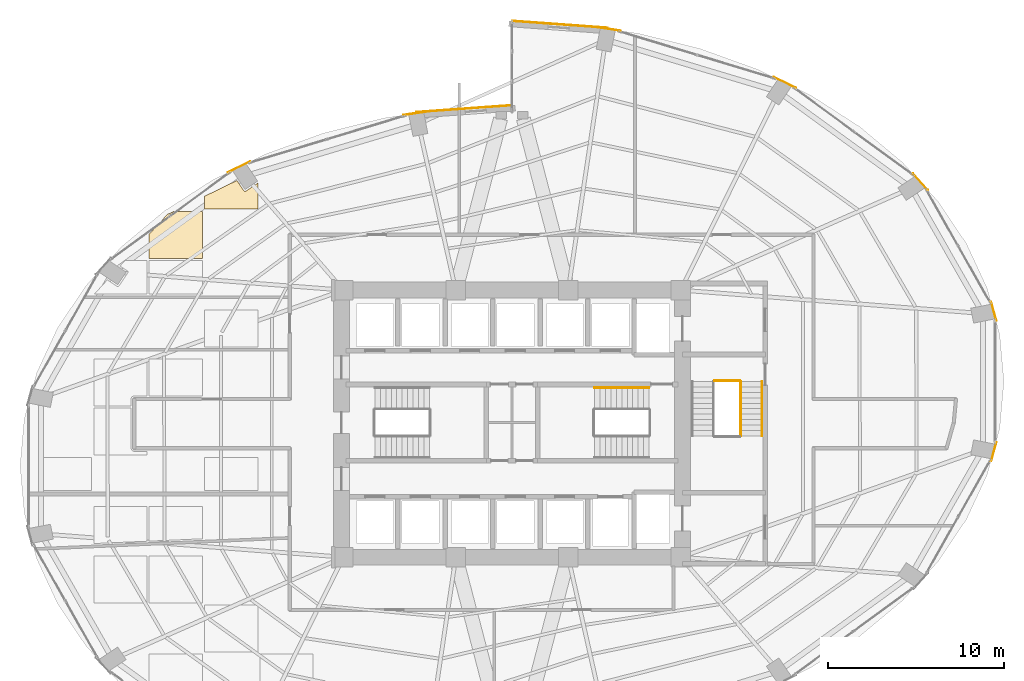
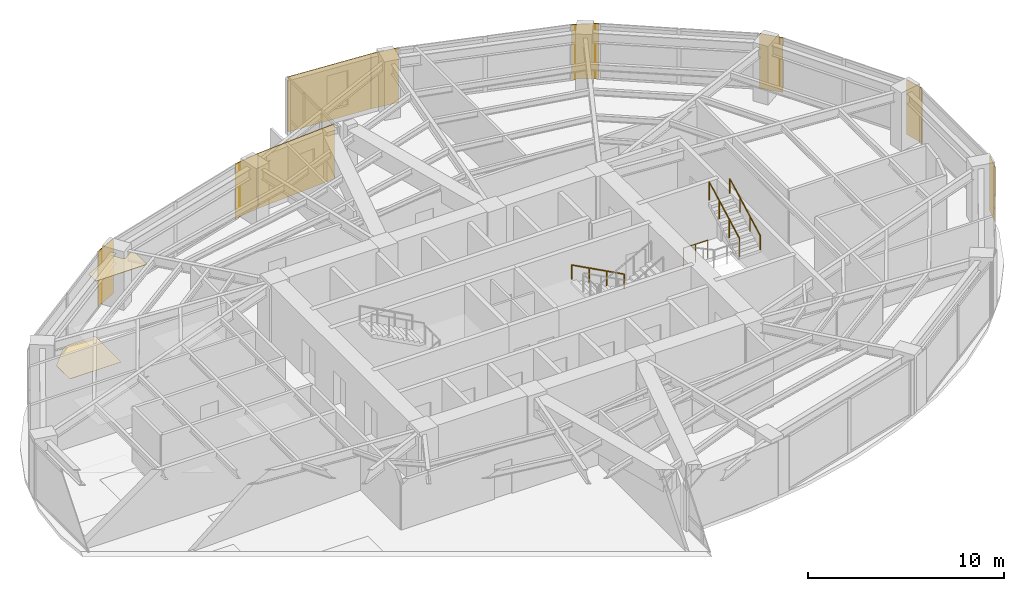
# One storey, part 25 of 25: 11 coverings, 4 railings.
"""IFC4 building model written with IfcOpenShell, lengths in metres."""

from ifc_helpers import new_model, si_unit, direction, frame, origin, origin_2d, place, context, subcontext, project, spatial, polyline, rectangle, circle, outline, extrude, material, layer, layer_set, type_object, element, save


model = new_model("IFC4")

# Units and contexts
model_context = context("Model", 3, precision=1e-05, world=origin(), true_north=direction((0.0, 1.0)))
body_context = subcontext(model_context, "Body", "Model", "MODEL_VIEW")
ifc_project = project(units=[si_unit("LENGTHUNIT", "METRE"), si_unit("AREAUNIT", "SQUARE_METRE"), si_unit("VOLUMEUNIT", "CUBIC_METRE"), si_unit("PLANEANGLEUNIT", "RADIAN"), si_unit("MASSUNIT", "GRAM", prefix="KILO")], contexts=[model_context])

# Site, building, storey
site_placement = place(None, origin())
site = spatial("IfcSite", under=ifc_project, at=site_placement, CompositionType="ELEMENT")
building_placement = place(site_placement, origin())
building = spatial("IfcBuilding", under=site, at=building_placement, Name="Lazwardi Medical Tower", CompositionType="ELEMENT")
storey_placement = place(building_placement, frame((0.0, 0.0, 43.43994140625)))
storey = spatial("IfcBuildingStorey", under=building, at=storey_placement, Name="L10", CompositionType="ELEMENT", Elevation=43.43994140625)

# Coverings
ifc_material_1 = material(Name="Anodised bronze aluminium cassette cladding", Category="aluminium")
ifc_layer_1 = layer(ifc_material_1, 0.030029296875)
ifc_layer_set_1 = layer_set([ifc_layer_1], Name="Anodised bronze aluminium cassette cladding")
covering_type_1 = type_object("IfcCoveringType", Name="COV-CLD-BRZ", PredefinedType="CLADDING", material=ifc_layer_set_1)
for number, where, z_axis, x_axis, name in (
    (1, (63.420654296875, 26.408203125, 0.0), (0.0, 0.0, 1.0), (0.262283496593, 0.964990863902, 0.0), "L10 Mega-column bronze cassette cover M04"),
    (2, (63.420654296875, 34.3916015625, 0.0), (0.0, 0.0, 1.0), (-0.262283496593, 0.964990863902, 0.0), "L10 Mega-column bronze cassette cover M05"),
):
    element("IfcCovering", number, at=place(storey_placement, frame(where, z_axis=z_axis, x_axis=x_axis)), inside=storey, type_object=covering_type_1, Name=name, PredefinedType="CLADDING", context=body_context, shape_type="SweptSolid", body=[
        extrude(rectangle(XDim=1.12548828125, YDim=0.030029296875, at=origin_2d()), origin(), (0.0, 0.0, 1.0), 3.427978515625),
    ])
covering_1_placement = place(storey_placement, frame((59.24609375, 41.767333984375, 0.0), z_axis=(0.0, 0.0, 1.0), x_axis=(-0.674252120961, 0.738501237223, 0.0)))
element("IfcCovering", 3, at=covering_1_placement, inside=storey, type_object=covering_type_1, Name="L10 Mega-column bronze cassette cover M06", PredefinedType="CLADDING", context=body_context, shape_type="SweptSolid", body=[
    extrude(rectangle(XDim=1.24658203125, YDim=0.030029296875, at=origin_2d()), origin(), (0.0, 0.0, 1.0), 3.427978515625),
])
covering_2_placement = place(storey_placement, frame((51.532470703125, 47.412353515625, 0.0), z_axis=(0.0, 0.0, 1.0), x_axis=(-0.898334492373, 0.439312121178, 0.0)))
element("IfcCovering", 4, at=covering_2_placement, inside=storey, type_object=covering_type_1, Name="L10 Mega-column bronze cassette cover M07", PredefinedType="CLADDING", context=body_context, shape_type="SweptSolid", body=[
    extrude(rectangle(XDim=1.400390625, YDim=0.030029296875, at=origin_2d()), origin(), (0.0, 0.0, 1.0), 3.427978515625),
])
for number, where, z_axis, x_axis, name in (
    (5, (41.454345703125, 50.46728515625, 0.0), (0.0, 0.0, 1.0), (-0.98957259946, 0.144034962415, 0.0), "L10 Mega-column bronze cassette cover M08"),
    (6, (30.545654296875, 45.66748046875, 0.0), (0.0, 0.0, 1.0), (-0.98957259946, -0.144034962415, 0.0), "L10 Mega-column bronze cassette cover M09"),
):
    element("IfcCovering", number, at=place(storey_placement, frame(where, z_axis=z_axis, x_axis=x_axis)), inside=storey, type_object=covering_type_1, Name=name, PredefinedType="CLADDING", context=body_context, shape_type="SweptSolid", body=[
        extrude(rectangle(XDim=1.49951171875, YDim=0.030029296875, at=origin_2d()), origin(), (0.0, 0.0, 1.0), 3.427978515625),
    ])
covering_3_placement = place(storey_placement, frame((20.467529296875, 42.6123046875, 0.0), z_axis=(0.0, 0.0, 1.0), x_axis=(-0.898334492373, -0.439312121178, 0.0)))
element("IfcCovering", 7, at=covering_3_placement, inside=storey, type_object=covering_type_1, Name="L10 Mega-column bronze cassette cover M10", PredefinedType="CLADDING", context=body_context, shape_type="SweptSolid", body=[
    extrude(rectangle(XDim=1.400390625, YDim=0.030029296875, at=origin_2d()), origin(), (0.0, 0.0, 1.0), 3.427978515625),
])
ifc_material_2 = material(Name="Turquoise glazed ceramic tilework cladding", Category="masonry")
ifc_layer_2 = layer(ifc_material_2, 0.034912109375)
ifc_layer_set_2 = layer_set([ifc_layer_2], Name="Turquoise glazed ceramic tilework cladding")
covering_type_2 = type_object("IfcCoveringType", Name="COV-CLD-TRQ", PredefinedType="CLADDING", material=ifc_layer_set_2)
covering_4_placement = place(storey_placement, frame((38.728271484375, 50.719482421875, 0.0), z_axis=(0.0, 0.0, 1.0), x_axis=(-0.997421404513, 0.071767275412, 0.0)))
element("IfcCovering", 8, at=covering_4_placement, inside=storey, type_object=covering_type_2, Name="L10 Turquoise glazed ceramic tilework cladding", PredefinedType="CLADDING", context=body_context, shape_type="SweptSolid", body=[
    extrude(rectangle(XDim=5.4453125, YDim=0.034912109375, at=origin_2d()), origin(), (0.0, 0.0, 1.0), 3.427978515625),
])
covering_5_placement = place(storey_placement, frame((33.271484375, 45.919677734375, 0.0), z_axis=(0.0, 0.0, 1.0), x_axis=(-0.997420903458, -0.071774238726, 0.0)))
element("IfcCovering", 9, at=covering_5_placement, inside=storey, type_object=covering_type_2, Name="L10 Turquoise glazed ceramic tilework cladding", PredefinedType="CLADDING", context=body_context, shape_type="SweptSolid", body=[
    extrude(rectangle(XDim=5.44482421875, YDim=0.034912109375, at=origin_2d()), origin(), (0.0, 0.0, 1.0), 3.427978515625),
])
ifc_material_3 = material(Name="Acoustic mineral fibre tile")
ifc_layer_3 = layer(ifc_material_3, 0.02490234375)
ifc_layer_set_3 = layer_set([ifc_layer_3], Name="Acoustic mineral fibre tile")
covering_type_3 = type_object("IfcCoveringType", Name="COV-CLG-01", PredefinedType="CEILING", material=ifc_layer_set_3)
covering_6_placement = place(storey_placement, frame((0.0, 0.0, 3.282958984375)))
element("IfcCovering", 10, at=covering_6_placement, inside=storey, type_object=covering_type_3, Name="L10 Clinical Acoustic Ceiling 9", PredefinedType="CEILING", context=body_context, shape_type="SweptSolid", body=[
    extrude(outline(polyline([(21.532958984375, 41.68896484375), (20.84765625, 41.231201171875), (20.8408203125, 41.22705078125), (20.833740234375, 41.2236328125), (20.826416015625, 41.220947265625), (20.81884765625, 41.218994140625), (20.81103515625, 41.218017578125), (20.80322265625, 41.217529296875), (20.79541015625, 41.218017578125), (20.78759765625, 41.218994140625), (20.780029296875, 41.220947265625), (20.772705078125, 41.2236328125), (20.765380859375, 41.22705078125), (20.7587890625, 41.231201171875), (20.75244140625, 41.23583984375), (20.74658203125, 41.240966796875), (20.741455078125, 41.246826171875), (20.73681640625, 41.253173828125), (20.3447265625, 41.839599609375), (18.5029296875, 40.940673828125), (18.5029296875, 40.202392578125), (21.532958984375, 40.202392578125), (21.532958984375, 41.68896484375)])), origin(), (0.0, 0.0, 1.0), 0.025146484375),
])
ifc_material_4 = material(Name="Anti-static hospital vinyl sheet flooring")
ifc_layer_4 = layer(ifc_material_4, 0.014892578125)
ifc_layer_set_4 = layer_set([ifc_layer_4], Name="Anti-static hospital vinyl sheet flooring")
covering_type_4 = type_object("IfcCoveringType", Name="COV-FLR-01", PredefinedType="FLOORING", material=ifc_layer_set_4)
covering_7_placement = place(storey_placement, origin())
element("IfcCovering", 11, at=covering_7_placement, inside=storey, type_object=covering_type_4, Name="L10 Clinical Vinyl Flooring 8", PredefinedType="FLOORING", context=body_context, shape_type="SweptSolid", body=[
    extrude(outline(polyline([(16.744384765625, 40.08251953125), (16.377197265625, 39.9033203125), (15.352783203125, 38.78369140625), (15.352783203125, 37.402587890625), (18.3828125, 37.402587890625), (18.3828125, 40.08251953125), (16.744384765625, 40.08251953125)])), origin(), (0.0, 0.0, 1.0), 0.01513671875),
])

# Railings
ifc_material_5 = material(Name="Stainless steel Grade 316", Category="steel")
railing_type_1 = type_object("IfcRailingType", Name="RLG-GRD-1150", PredefinedType="GUARDRAIL", material=ifc_material_5)
railing_1_placement = place(storey_placement, frame((49.010009765625, 27.300048828125, 1.989990234375)))
element("IfcRailing", 12, at=railing_1_placement, inside=storey, type_object=railing_type_1, Name="L10 ST3 stair guard 3", PredefinedType="GUARDRAIL", context=body_context, shape_type="SweptSolid", body=[
    extrude(circle(Radius=0.02392578125, at=origin_2d()), frame((0.0, 0.0, 1.1259765625), z_axis=(0.0, 0.881796732468, 0.4716296456), x_axis=(-1.0, 0.0, 0.0)), (0.0, 0.0, 1.0), 3.515380859375),
    extrude(circle(Radius=0.02099609375, at=origin_2d()), origin(), (0.0, 0.0, 1.0), 1.099853515625),
    extrude(circle(Radius=0.02099609375, at=origin_2d()), frame((0.0, 1.033203125, 0.552734375)), (0.0, 0.0, 1.0), 1.099853515625),
    extrude(circle(Radius=0.02099609375, at=origin_2d()), frame((0.0, 2.066650390625, 1.105224609375)), (0.0, 0.0, 1.0), 1.099853515625),
    extrude(circle(Radius=0.02099609375, at=origin_2d()), frame((0.0, 3.099853515625, 1.657958984375)), (0.0, 0.0, 1.0), 1.099853515625),
])
railing_2_placement = place(storey_placement, frame((47.52001953125, 30.449951171875, 0.0)))
element("IfcRailing", 13, at=railing_2_placement, inside=storey, type_object=railing_type_1, Name="L10 ST3 stair guard 4", PredefinedType="GUARDRAIL", context=body_context, shape_type="SweptSolid", body=[
    extrude(circle(Radius=0.02392578125, at=origin_2d()), frame((0.0, 0.0, 1.1259765625), z_axis=(1.0, 0.0, 0.0), x_axis=(0.0, 1.0, 0.0)), (0.0, 0.0, 1.0), 1.43994140625),
    extrude(circle(Radius=0.02099609375, at=origin_2d()), origin(), (0.0, 0.0, 1.0), 1.099853515625),
    extrude(circle(Radius=0.02099609375, at=origin_2d()), frame((0.719970703125, 0.0, 0.0)), (0.0, 0.0, 1.0), 1.099853515625),
    extrude(circle(Radius=0.02099609375, at=origin_2d()), frame((1.43994140625, 0.0, 0.0)), (0.0, 0.0, 1.0), 1.099853515625),
])
railing_type_2 = type_object("IfcRailingType", Name="RLG-HND-920", PredefinedType="HANDRAIL", material=ifc_material_5)
railing_3_placement = place(storey_placement, frame((43.800048828125, 30.050048828125, 0.165771484375)))
element("IfcRailing", 14, at=railing_3_placement, inside=storey, type_object=railing_type_2, Name="L10 ST2 stair handrail 1", PredefinedType="HANDRAIL", context=body_context, shape_type="SweptSolid", body=[
    extrude(circle(Radius=0.02392578125, at=origin_2d()), frame((0.0, 0.0, 0.8857421875), z_axis=(-0.881783298633, 0.0, 0.471654761719), x_axis=(0.0, -1.0, 0.0)), (0.0, 0.0, 1.0), 3.515625),
    extrude(circle(Radius=0.02099609375, at=origin_2d()), origin(), (0.0, 0.0, 1.0), 0.85986328125),
    extrude(circle(Radius=0.02099609375, at=origin_2d()), frame((-1.033447265625, 0.0, 0.552734375)), (0.0, 0.0, 1.0), 0.85986328125),
    extrude(circle(Radius=0.02099609375, at=origin_2d()), frame((-2.066650390625, 0.0, 1.10546875)), (0.0, 0.0, 1.0), 0.85986328125),
    extrude(circle(Radius=0.02099609375, at=origin_2d()), frame((-3.10009765625, 0.0, 1.658203125)), (0.0, 0.0, 1.0), 0.85986328125),
])
railing_4_placement = place(storey_placement, frame((50.22998046875, 27.300048828125, 1.989990234375)))
element("IfcRailing", 15, at=railing_4_placement, inside=storey, type_object=railing_type_2, Name="L10 ST3 stair handrail 2", PredefinedType="HANDRAIL", context=body_context, shape_type="SweptSolid", body=[
    extrude(circle(Radius=0.02392578125, at=origin_2d()), frame((0.0, 0.0, 0.8857421875), z_axis=(0.0, 0.881796732468, 0.4716296456), x_axis=(-1.0, 0.0, 0.0)), (0.0, 0.0, 1.0), 3.515380859375),
    extrude(circle(Radius=0.02099609375, at=origin_2d()), origin(), (0.0, 0.0, 1.0), 0.85986328125),
    extrude(circle(Radius=0.02099609375, at=origin_2d()), frame((0.0, 1.033203125, 0.552734375)), (0.0, 0.0, 1.0), 0.85986328125),
    extrude(circle(Radius=0.02099609375, at=origin_2d()), frame((0.0, 2.066650390625, 1.105224609375)), (0.0, 0.0, 1.0), 0.85986328125),
    extrude(circle(Radius=0.02099609375, at=origin_2d()), frame((0.0, 3.099853515625, 1.657958984375)), (0.0, 0.0, 1.0), 0.85986328125),
])

save(model, "model.ifc")
